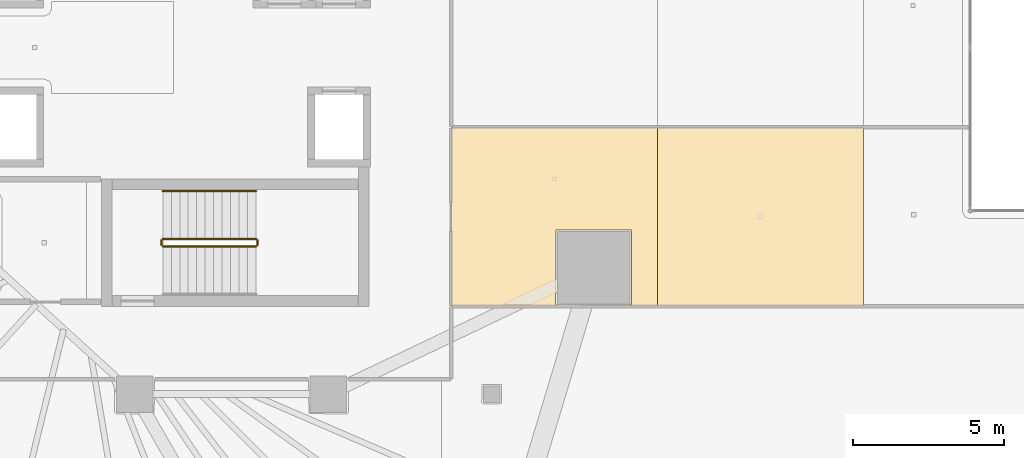
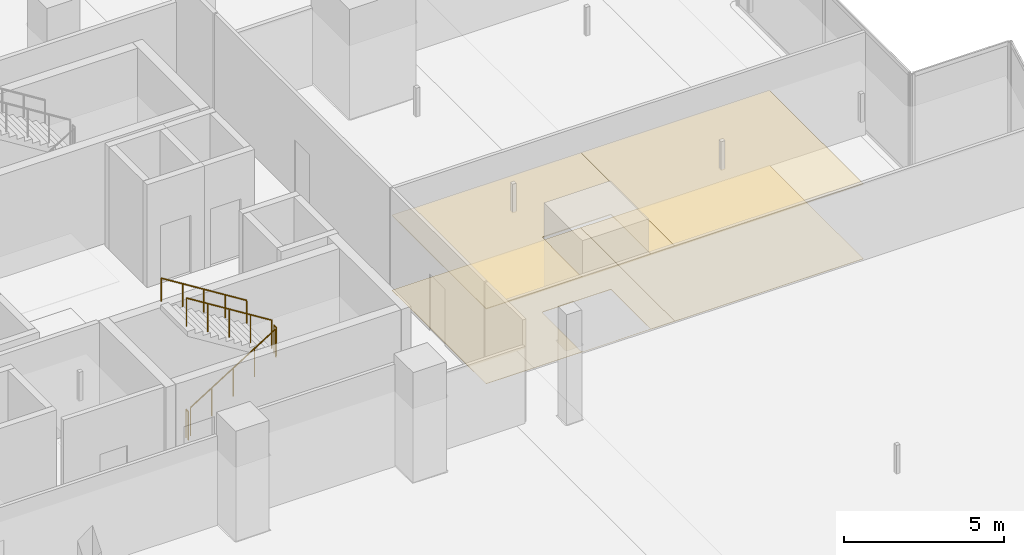
# One storey, part 38 of 43: 5 railings, 4 coverings.
"""IFC4 building model written with IfcOpenShell, lengths in metres."""

from ifc_helpers import new_model, si_unit, direction, frame, origin, origin_2d, place, context, subcontext, project, spatial, polyline, circle, outline, extrude, material, layer, layer_set, type_object, element, save


model = new_model("IFC4")

# Units and contexts
model_context = context("Model", 3, precision=1e-05, world=origin(), true_north=direction((0.0, 1.0)))
body_context = subcontext(model_context, "Body", "Model", "MODEL_VIEW")
ifc_project = project(units=[si_unit("LENGTHUNIT", "METRE"), si_unit("AREAUNIT", "SQUARE_METRE"), si_unit("VOLUMEUNIT", "CUBIC_METRE"), si_unit("PLANEANGLEUNIT", "RADIAN"), si_unit("MASSUNIT", "GRAM", prefix="KILO")], contexts=[model_context])

# Site, building, storey
site_placement = place(None, origin())
site = spatial("IfcSite", under=ifc_project, at=site_placement, CompositionType="ELEMENT")
building_placement = place(site_placement, origin())
building = spatial("IfcBuilding", under=site, at=building_placement, Name="Qorvath Tower", CompositionType="ELEMENT")
storey_placement = place(building_placement, frame((0.0, 0.0, 36.60009765625)))
storey = spatial("IfcBuildingStorey", under=building, at=storey_placement, Name="L07", CompositionType="ELEMENT", Elevation=36.60009765625)

# Coverings
ifc_material_1 = material(Name="Acoustic mineral fibre ceiling tile", Category="gypsum")
ifc_layer_1 = layer(ifc_material_1, 0.030029296875)
ifc_layer_set_1 = layer_set([ifc_layer_1], Name="COV-CEIL")
covering_type_1 = type_object("IfcCoveringType", Name="COV-CEIL", PredefinedType="CEILING", material=ifc_layer_set_1)
covering_1_placement = place(storey_placement, frame((0.0, 0.0, 2.849853515625)))
element("IfcCovering", 1, at=covering_1_placement, inside=storey, type_object=covering_type_1, Name="L07 Suspended Acoustic Ceiling 019", PredefinedType="CEILING", context=body_context, shape_type="SweptSolid", body=[
    extrude(outline(polyline([(-6.329833984375, -8.537109375), (-6.329833984375, -2.64794921875), (-13.136962890625, -2.64794921875), (-13.136962890625, -8.537109375), (-6.329833984375, -8.537109375)]), holes=[polyline([(-9.690185546875, -8.476318359375), (-9.672607421875, -6.033935546875), (-7.18798828125, -6.033935546875), (-7.18798828125, -8.518798828125), (-9.63037109375, -8.536376953125), (-9.690185546875, -8.476318359375)])]), origin(), (0.0, 0.0, 1.0), 0.030029296875),
])
covering_2_placement = place(storey_placement, frame((0.0, 0.0, 2.849853515625)))
element("IfcCovering", 2, at=covering_2_placement, inside=storey, type_object=covering_type_1, Name="L07 Suspended Acoustic Ceiling 020", PredefinedType="CEILING", context=body_context, shape_type="SweptSolid", body=[
    extrude(outline(polyline([(0.477294921875, -8.537109375), (0.477294921875, -2.64794921875), (-6.329833984375, -2.64794921875), (-6.329833984375, -8.537109375), (0.477294921875, -8.537109375)])), origin(), (0.0, 0.0, 1.0), 0.030029296875),
])
ifc_material_2 = material(Name="Low-VOC modular carpet tile", Category="textile")
ifc_layer_2 = layer(ifc_material_2, 0.014892578125)
ifc_layer_set_2 = layer_set([ifc_layer_2], Name="COV-FLOOR-CPT")
covering_type_2 = type_object("IfcCoveringType", Name="COV-FLOOR-CPT", PredefinedType="FLOORING", material=ifc_layer_set_2)
covering_3_placement = place(storey_placement, origin())
element("IfcCovering", 3, at=covering_3_placement, inside=storey, type_object=covering_type_2, Name="L07 Floor Finish 019", PredefinedType="FLOORING", context=body_context, shape_type="SweptSolid", body=[
    extrude(outline(polyline([(-6.329833984375, -8.537109375), (-6.329833984375, -2.64794921875), (-13.136962890625, -2.64794921875), (-13.136962890625, -8.537109375), (-6.329833984375, -8.537109375)]), holes=[polyline([(-9.690185546875, -8.476318359375), (-9.672607421875, -6.033935546875), (-7.18798828125, -6.033935546875), (-7.18798828125, -8.518798828125), (-9.63037109375, -8.536376953125), (-9.690185546875, -8.476318359375)])]), origin(), (0.0, 0.0, 1.0), 0.014892578125),
])
covering_4_placement = place(storey_placement, origin())
element("IfcCovering", 4, at=covering_4_placement, inside=storey, type_object=covering_type_2, Name="L07 Floor Finish 020", PredefinedType="FLOORING", context=body_context, shape_type="SweptSolid", body=[
    extrude(outline(polyline([(0.477294921875, -8.537109375), (0.477294921875, -2.64794921875), (-6.329833984375, -2.64794921875), (-6.329833984375, -8.537109375), (0.477294921875, -8.537109375)])), origin(), (0.0, 0.0, 1.0), 0.014892578125),
])

# Railings
ifc_material_3 = material(Name="Painted galvanised steel", Category="steel")
railing_type_1 = type_object("IfcRailingType", Name="RL-STR-GRD", PredefinedType="GUARDRAIL", material=ifc_material_3)
railing_1_placement = place(storey_placement, frame((-22.669921875, -6.570068359375, 0.1748046875)))
element("IfcRailing", 5, at=railing_1_placement, inside=storey, type_object=railing_type_1, Name="L07 TS2 stair guard 1", PredefinedType="GUARDRAIL", context=body_context, shape_type="SweptSolid", body=[
    extrude(circle(Radius=0.02392578125, at=origin_2d()), frame((0.0, 0.0, 1.076171875), z_axis=(0.847979421464, 0.0, 0.530029150871), x_axis=(0.0, 1.0, 0.0)), (0.0, 0.0, 1.0), 3.632080078125),
    extrude(circle(Radius=0.02099609375, at=origin_2d()), origin(), (0.0, 0.0, 1.0), 1.052001953125),
    extrude(circle(Radius=0.02099609375, at=origin_2d()), frame((0.77001953125, 0.0, 0.481201171875)), (0.0, 0.0, 1.0), 1.052001953125),
    extrude(circle(Radius=0.02099609375, at=origin_2d()), frame((1.5400390625, 0.0, 0.96240234375)), (0.0, 0.0, 1.0), 1.052001953125),
    extrude(circle(Radius=0.02099609375, at=origin_2d()), frame((2.309814453125, 0.0, 1.44384765625)), (0.0, 0.0, 1.0), 1.052001953125),
    extrude(circle(Radius=0.02099609375, at=origin_2d()), frame((3.079833984375, 0.0, 1.925048828125)), (0.0, 0.0, 1.0), 1.052001953125),
])
railing_2_placement = place(storey_placement, frame((-19.5400390625, -6.52001953125, 2.099853515625)))
element("IfcRailing", 6, at=railing_2_placement, inside=storey, type_object=railing_type_1, Name="L07 TS2 stair guard 2", PredefinedType="GUARDRAIL", context=body_context, shape_type="SweptSolid", body=[
    extrude(circle(Radius=0.02392578125, at=origin_2d()), frame((0.0, 0.0, 1.076171875), z_axis=(0.0, 1.0, 0.0), x_axis=(-1.0, 0.0, 0.0)), (0.0, 0.0, 1.0), 0.14990234375),
    extrude(circle(Radius=0.02099609375, at=origin_2d()), origin(), (0.0, 0.0, 1.0), 1.052001953125),
    extrude(circle(Radius=0.02099609375, at=origin_2d()), frame((0.0, 0.14990234375, 0.0)), (0.0, 0.0, 1.0), 1.052001953125),
])
railing_3_placement = place(storey_placement, frame((-19.590087890625, -6.320068359375, 2.27490234375)))
element("IfcRailing", 7, at=railing_3_placement, inside=storey, type_object=railing_type_1, Name="L07 TS2 stair guard 3", PredefinedType="GUARDRAIL", context=body_context, shape_type="SweptSolid", body=[
    extrude(circle(Radius=0.02392578125, at=origin_2d()), frame((0.0, 0.0, 1.076171875), z_axis=(-0.847979421464, 0.0, 0.530029150871), x_axis=(0.0, -1.0, 0.0)), (0.0, 0.0, 1.0), 3.632080078125),
    extrude(circle(Radius=0.02099609375, at=origin_2d()), origin(), (0.0, 0.0, 1.0), 1.052001953125),
    extrude(circle(Radius=0.02099609375, at=origin_2d()), frame((-0.77001953125, 0.0, 0.481201171875)), (0.0, 0.0, 1.0), 1.052001953125),
    extrude(circle(Radius=0.02099609375, at=origin_2d()), frame((-1.5400390625, 0.0, 0.96240234375)), (0.0, 0.0, 1.0), 1.052001953125),
    extrude(circle(Radius=0.02099609375, at=origin_2d()), frame((-2.309814453125, 0.0, 1.44384765625)), (0.0, 0.0, 1.0), 1.052001953125),
    extrude(circle(Radius=0.02099609375, at=origin_2d()), frame((-3.079833984375, 0.0, 1.925048828125)), (0.0, 0.0, 1.0), 1.052001953125),
])
railing_4_placement = place(storey_placement, frame((-22.719970703125, -6.52001953125, 0.0)))
element("IfcRailing", 8, at=railing_4_placement, inside=storey, type_object=railing_type_1, Name="L07 TS2 stair guard 4", PredefinedType="GUARDRAIL", context=body_context, shape_type="SweptSolid", body=[
    extrude(circle(Radius=0.02392578125, at=origin_2d()), frame((0.0, 0.0, 1.076171875), z_axis=(0.0, 1.0, 0.0), x_axis=(-1.0, 0.0, 0.0)), (0.0, 0.0, 1.0), 0.14990234375),
    extrude(circle(Radius=0.02099609375, at=origin_2d()), origin(), (0.0, 0.0, 1.0), 1.052001953125),
    extrude(circle(Radius=0.02099609375, at=origin_2d()), frame((0.0, 0.14990234375, 0.0)), (0.0, 0.0, 1.0), 1.052001953125),
])
ifc_material_4 = material(Name="Brushed stainless steel AISI 304", Category="steel")
railing_type_2 = type_object("IfcRailingType", Name="RL-STR-HND", PredefinedType="HANDRAIL", material=ifc_material_4)
railing_5_placement = place(storey_placement, frame((-19.590087890625, -4.739990234375, 2.27490234375)))
element("IfcRailing", 9, at=railing_5_placement, inside=storey, type_object=railing_type_2, Name="L07 TS2 stair handrail 2", PredefinedType="HANDRAIL", context=body_context, shape_type="SweptSolid", body=[
    extrude(circle(Radius=0.02392578125, at=origin_2d()), frame((0.0, 0.0, 0.8759765625), z_axis=(-0.847979421464, 0.0, 0.530029150871), x_axis=(0.0, -1.0, 0.0)), (0.0, 0.0, 1.0), 3.632080078125),
    extrude(circle(Radius=0.02099609375, at=origin_2d()), origin(), (0.0, 0.0, 1.0), 0.851806640625),
    extrude(circle(Radius=0.02099609375, at=origin_2d()), frame((-0.77001953125, 0.0, 0.481201171875)), (0.0, 0.0, 1.0), 0.851806640625),
    extrude(circle(Radius=0.02099609375, at=origin_2d()), frame((-1.5400390625, 0.0, 0.96240234375)), (0.0, 0.0, 1.0), 0.851806640625),
    extrude(circle(Radius=0.02099609375, at=origin_2d()), frame((-2.309814453125, 0.0, 1.44384765625)), (0.0, 0.0, 1.0), 0.851806640625),
    extrude(circle(Radius=0.02099609375, at=origin_2d()), frame((-3.079833984375, 0.0, 1.925048828125)), (0.0, 0.0, 1.0), 0.851806640625),
])

save(model, "model.ifc")
